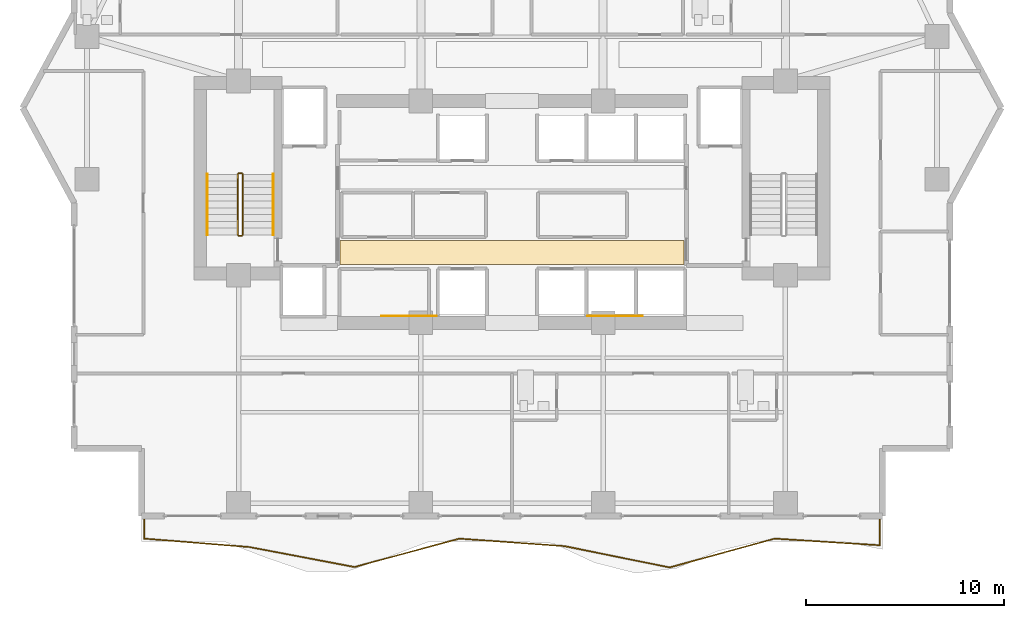
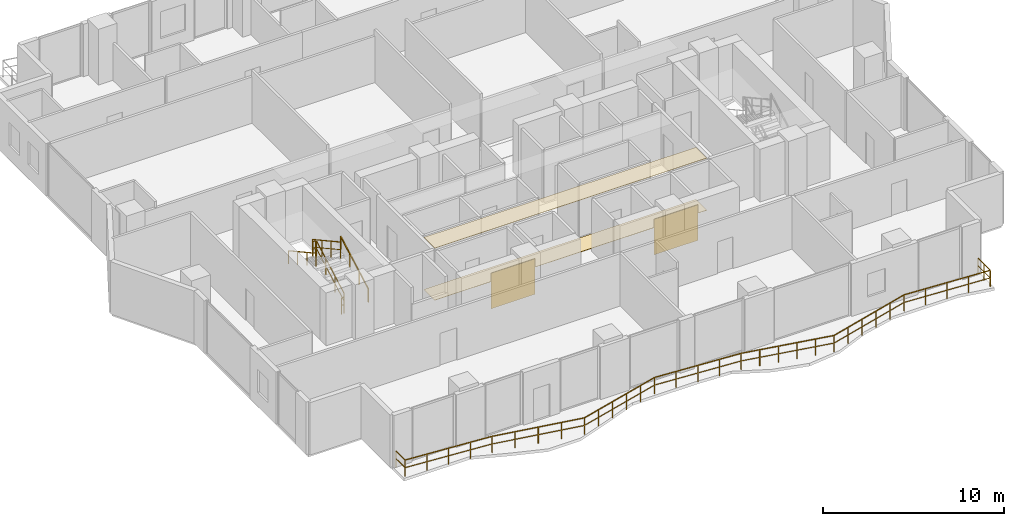
# One storey, part 29 of 32: 7 railings, 4 coverings.
"""IFC4 building model written with IfcOpenShell, lengths in metres."""

from ifc_helpers import new_model, si_unit, direction, frame, origin, origin_2d, place, context, subcontext, project, spatial, polyline, rectangle, outline, extrude, material, layer, layer_set, type_object, element, save


model = new_model("IFC4")

# Units and contexts
model_context = context("Model", 3, precision=1e-05, world=origin(), true_north=direction((0.0, 1.0)))
body_context = subcontext(model_context, "Body", "Model", "MODEL_VIEW")
ifc_project = project(units=[si_unit("LENGTHUNIT", "METRE"), si_unit("AREAUNIT", "SQUARE_METRE"), si_unit("VOLUMEUNIT", "CUBIC_METRE"), si_unit("PLANEANGLEUNIT", "RADIAN"), si_unit("MASSUNIT", "GRAM", prefix="KILO")], contexts=[model_context])

# Site, building, storey
site_placement = place(None, origin())
site = spatial("IfcSite", under=ifc_project, at=site_placement, CompositionType="ELEMENT")
building_placement = place(site_placement, origin())
building = spatial("IfcBuilding", under=site, at=building_placement, Name="Zuhayl Quay Hotel", CompositionType="ELEMENT")
storey_placement = place(building_placement, frame((0.0, 0.0, 218.64990234375)))
storey = spatial("IfcBuildingStorey", under=building, at=storey_placement, Name="L55", CompositionType="ELEMENT", Elevation=218.64990234375)

# Coverings
ifc_material_1 = material(Name="Acoustic Mineral-Fibre Gypsum Board")
ifc_layer_1 = layer(ifc_material_1, 0.02490234375, Name="Acoustic Mineral-Fibre Gypsum Board")
ifc_layer_set_1 = layer_set([ifc_layer_1], Name="Acoustic Mineral-Fibre Gypsum Board")
covering_type_1 = type_object("IfcCoveringType", Name="CV_CEIL_ACOUSTIC", PredefinedType="CEILING", material=ifc_layer_set_1)
covering_1_placement = place(storey_placement, frame((0.0, 0.0, 3.505126953125)))
element("IfcCovering", 1, at=covering_1_placement, inside=storey, type_object=covering_type_1, Name="L55 Suspended Acoustic Lobby Ceiling S", PredefinedType="CEILING", context=body_context, shape_type="SweptSolid", body=[
    extrude(outline(polyline([(-8.679931640625, 5.10009765625), (8.679931640625, 5.10009765625), (8.679931640625, 6.300048828125), (-8.679931640625, 6.300048828125), (-8.679931640625, 5.10009765625)])), origin(), (0.0, 0.0, 1.0), 0.02490234375),
])
ifc_material_2 = material(Name="Polished Limestone Terrazzo", Category="masonry")
ifc_layer_2 = layer(ifc_material_2, 0.02001953125, Name="Polished Limestone Terrazzo", Category="masonry")
ifc_layer_set_2 = layer_set([ifc_layer_2], Name="Polished Limestone Terrazzo")
covering_type_2 = type_object("IfcCoveringType", Name="CV_FLOOR_TERRAZZO", PredefinedType="FLOORING", material=ifc_layer_set_2)
covering_2_placement = place(storey_placement, origin())
element("IfcCovering", 2, at=covering_2_placement, inside=storey, type_object=covering_type_2, Name="L55 Honed Limestone Terrazzo Lobby Flooring S", PredefinedType="FLOORING", context=body_context, shape_type="SweptSolid", body=[
    extrude(outline(polyline([(-8.679931640625, 5.10009765625), (8.679931640625, 5.10009765625), (8.679931640625, 6.300048828125), (-8.679931640625, 6.300048828125), (-8.679931640625, 5.10009765625)])), origin(), (0.0, 0.0, 1.0), 0.02001953125),
])
ifc_material_3 = material(Name="Acoustic Walnut Feature Timber", Category="wood")
ifc_layer_3 = layer(ifc_material_3, 0.02197265625, Name="Acoustic Walnut Feature Timber", Category="wood")
ifc_layer_set_3 = layer_set([ifc_layer_3], Name="Acoustic Walnut Feature Timber")
covering_type_3 = type_object("IfcCoveringType", Name="CV_WALL_CLAD", PredefinedType="CLADDING", material=ifc_layer_set_3)
for number, where, z_axis, x_axis, name in (
    (3, (-5.199951171875, 2.486083984375, 0.300048828125), (0.0, 0.0, 1.0), (1.0, 0.0, 0.0), "L55 Feature Lobby Walnut Wall Cladding W"),
    (4, (5.199951171875, 2.486083984375, 0.300048828125), (0.0, 0.0, 1.0), (1.0, 0.0, 0.0), "L55 Feature Lobby Walnut Wall Cladding E"),
):
    element("IfcCovering", number, at=place(storey_placement, frame(where, z_axis=z_axis, x_axis=x_axis)), inside=storey, type_object=covering_type_3, Name=name, PredefinedType="CLADDING", context=body_context, shape_type="SweptSolid", body=[
        extrude(rectangle(XDim=2.800048828125, YDim=0.02197265625, at=origin_2d()), origin(), (0.0, 0.0, 1.0), 2.39990234375),
    ])

# Railings
ifc_material_4 = material(Name="Anodised Aluminium and Laminated Glass", Category="aluminium")
railing_type_1 = type_object("IfcRailingType", Name="RL_EXT_BAL_1100", PredefinedType="BALUSTRADE", material=ifc_material_4)
railing_1_placement = place(storey_placement, frame((-18.56005859375, -7.719970703125, 0.0)))
element("IfcRailing", 5, at=railing_1_placement, inside=storey, type_object=railing_type_1, Name="L55 Balcony and Terrace Guard GR_L55_BAL_S", PredefinedType="BALUSTRADE", context=body_context, shape_type="SweptSolid", body=[
    extrude(rectangle(XDim=0.048095703125, YDim=0.048095703125, at=origin_2d()), frame((0.0, 0.0, 1.09619140625), z_axis=(0.0, -1.0, 0.0), x_axis=(1.0, 0.0, 0.0)), (0.0, 0.0, 1.0), 1.02001953125),
    extrude(rectangle(XDim=0.0361328125, YDim=0.0361328125, at=origin_2d()), frame((0.0, 0.0, 0.58251953125), z_axis=(0.0, -1.0, 0.0), x_axis=(1.0, 0.0, 0.0)), (0.0, 0.0, 1.0), 1.02001953125),
    extrude(rectangle(XDim=0.048095703125, YDim=0.048095703125, at=origin_2d()), frame((0.0, -1.02001953125, 1.09619140625), z_axis=(0.996821404262, -0.079668613683, 0.0), x_axis=(0.079668613683, 0.996821404262, 0.0)), (0.0, 0.0, 1.0), 5.31982421875),
    extrude(rectangle(XDim=0.0361328125, YDim=0.0361328125, at=origin_2d()), frame((0.0, -1.02001953125, 0.58251953125), z_axis=(0.996821404262, -0.079668613683, 0.0), x_axis=(0.079668613683, 0.996821404262, 0.0)), (0.0, 0.0, 1.0), 5.31982421875),
    extrude(rectangle(XDim=0.048095703125, YDim=0.048095703125, at=origin_2d()), frame((5.302978515625, -1.44384765625, 1.09619140625), z_axis=(0.982381295866, -0.18688763879, 0.0), x_axis=(0.18688763879, 0.982381295866, 0.0)), (0.0, 0.0, 1.0), 5.39794921875),
    extrude(rectangle(XDim=0.0361328125, YDim=0.0361328125, at=origin_2d()), frame((5.302978515625, -1.44384765625, 0.58251953125), z_axis=(0.982381295866, -0.18688763879, 0.0), x_axis=(0.18688763879, 0.982381295866, 0.0)), (0.0, 0.0, 1.0), 5.39794921875),
    extrude(rectangle(XDim=0.048095703125, YDim=0.048095703125, at=origin_2d()), frame((10.605712890625, -2.45263671875, 1.09619140625), z_axis=(0.965391827311, 0.260803795528, 0.0), x_axis=(-0.260803795528, 0.965391827311, 0.0)), (0.0, 0.0, 1.0), 5.4931640625),
    extrude(rectangle(XDim=0.0361328125, YDim=0.0361328125, at=origin_2d()), frame((10.605712890625, -2.45263671875, 0.58251953125), z_axis=(0.965391827311, 0.260803795528, 0.0), x_axis=(-0.260803795528, 0.965391827311, 0.0)), (0.0, 0.0, 1.0), 5.4931640625),
    extrude(rectangle(XDim=0.048095703125, YDim=0.048095703125, at=origin_2d()), frame((15.90869140625, -1.02001953125, 1.09619140625), z_axis=(0.997456834578, -0.071273158714, 0.0), x_axis=(0.071273158714, 0.997456834578, 0.0)), (0.0, 0.0, 1.0), 5.316162109375),
    extrude(rectangle(XDim=0.0361328125, YDim=0.0361328125, at=origin_2d()), frame((15.90869140625, -1.02001953125, 0.58251953125), z_axis=(0.997456834578, -0.071273158714, 0.0), x_axis=(0.071273158714, 0.997456834578, 0.0)), (0.0, 0.0, 1.0), 5.316162109375),
    extrude(rectangle(XDim=0.048095703125, YDim=0.048095703125, at=origin_2d()), frame((21.21142578125, -1.39892578125, 1.09619140625), z_axis=(0.980005605908, -0.198969878093, 0.0), x_axis=(0.198969878093, 0.980005605908, 0.0)), (0.0, 0.0, 1.0), 5.4111328125),
    extrude(rectangle(XDim=0.0361328125, YDim=0.0361328125, at=origin_2d()), frame((21.21142578125, -1.39892578125, 0.58251953125), z_axis=(0.980005605908, -0.198969878093, 0.0), x_axis=(0.198969878093, 0.980005605908, 0.0)), (0.0, 0.0, 1.0), 5.4111328125),
    extrude(rectangle(XDim=0.048095703125, YDim=0.048095703125, at=origin_2d()), frame((26.514404296875, -2.4755859375, 1.09619140625), z_axis=(0.964330147936, 0.264702409852, 0.0), x_axis=(-0.264702409852, 0.964330147936, 0.0)), (0.0, 0.0, 1.0), 5.498779296875),
    extrude(rectangle(XDim=0.0361328125, YDim=0.0361328125, at=origin_2d()), frame((26.514404296875, -2.4755859375, 0.58251953125), z_axis=(0.964330147936, 0.264702409852, 0.0), x_axis=(-0.264702409852, 0.964330147936, 0.0)), (0.0, 0.0, 1.0), 5.498779296875),
    extrude(rectangle(XDim=0.048095703125, YDim=0.048095703125, at=origin_2d()), frame((31.817138671875, -1.02001953125, 1.09619140625), z_axis=(0.998022607312, -0.062855988527, 0.0), x_axis=(0.062855988527, 0.998022607312, 0.0)), (0.0, 0.0, 1.0), 5.3134765625),
    extrude(rectangle(XDim=0.0361328125, YDim=0.0361328125, at=origin_2d()), frame((31.817138671875, -1.02001953125, 0.58251953125), z_axis=(0.998022607312, -0.062855988527, 0.0), x_axis=(0.062855988527, 0.998022607312, 0.0)), (0.0, 0.0, 1.0), 5.3134765625),
    extrude(rectangle(XDim=0.048095703125, YDim=0.048095703125, at=origin_2d()), frame((37.1201171875, -1.35400390625, 1.09619140625), z_axis=(0.0, 1.0, 0.0), x_axis=(-1.0, 0.0, 0.0)), (0.0, 0.0, 1.0), 1.35400390625),
    extrude(rectangle(XDim=0.0361328125, YDim=0.0361328125, at=origin_2d()), frame((37.1201171875, -1.35400390625, 0.58251953125), z_axis=(0.0, 1.0, 0.0), x_axis=(-1.0, 0.0, 0.0)), (0.0, 0.0, 1.0), 1.35400390625),
    extrude(rectangle(XDim=0.0419921875, YDim=0.0419921875, at=origin_2d()), origin(), (0.0, 0.0, 1.0), 1.072021484375),
    extrude(rectangle(XDim=0.0419921875, YDim=0.0419921875, at=origin_2d()), frame((0.0, -1.02001953125, 0.0)), (0.0, 0.0, 1.0), 1.072021484375),
    extrude(rectangle(XDim=0.0419921875, YDim=0.0419921875, at=origin_2d()), frame((1.32568359375, -1.1259765625, 0.0)), (0.0, 0.0, 1.0), 1.072021484375),
    extrude(rectangle(XDim=0.0419921875, YDim=0.0419921875, at=origin_2d()), frame((2.6513671875, -1.23193359375, 0.0)), (0.0, 0.0, 1.0), 1.072021484375),
    extrude(rectangle(XDim=0.0419921875, YDim=0.0419921875, at=origin_2d()), frame((3.977294921875, -1.337890625, 0.0)), (0.0, 0.0, 1.0), 1.072021484375),
    extrude(rectangle(XDim=0.0419921875, YDim=0.0419921875, at=origin_2d()), frame((5.302978515625, -1.44384765625, 0.0)), (0.0, 0.0, 1.0), 1.072021484375),
    extrude(rectangle(XDim=0.0419921875, YDim=0.0419921875, at=origin_2d()), frame((6.628662109375, -1.696044921875, 0.0)), (0.0, 0.0, 1.0), 1.072021484375),
    extrude(rectangle(XDim=0.0419921875, YDim=0.0419921875, at=origin_2d()), frame((7.954345703125, -1.9482421875, 0.0)), (0.0, 0.0, 1.0), 1.072021484375),
    extrude(rectangle(XDim=0.0419921875, YDim=0.0419921875, at=origin_2d()), frame((9.280029296875, -2.200439453125, 0.0)), (0.0, 0.0, 1.0), 1.072021484375),
    extrude(rectangle(XDim=0.0419921875, YDim=0.0419921875, at=origin_2d()), frame((10.605712890625, -2.45263671875, 0.0)), (0.0, 0.0, 1.0), 1.072021484375),
    extrude(rectangle(XDim=0.0419921875, YDim=0.0419921875, at=origin_2d()), frame((11.666259765625, -2.166015625, 0.0)), (0.0, 0.0, 1.0), 1.072021484375),
    extrude(rectangle(XDim=0.0419921875, YDim=0.0419921875, at=origin_2d()), frame((12.726806640625, -1.879638671875, 0.0)), (0.0, 0.0, 1.0), 1.072021484375),
    extrude(rectangle(XDim=0.0419921875, YDim=0.0419921875, at=origin_2d()), frame((13.78759765625, -1.593017578125, 0.0)), (0.0, 0.0, 1.0), 1.072021484375),
    extrude(rectangle(XDim=0.0419921875, YDim=0.0419921875, at=origin_2d()), frame((14.84814453125, -1.306640625, 0.0)), (0.0, 0.0, 1.0), 1.072021484375),
    extrude(rectangle(XDim=0.0419921875, YDim=0.0419921875, at=origin_2d()), frame((15.90869140625, -1.02001953125, 0.0)), (0.0, 0.0, 1.0), 1.072021484375),
    extrude(rectangle(XDim=0.0419921875, YDim=0.0419921875, at=origin_2d()), frame((17.234375, -1.11474609375, 0.0)), (0.0, 0.0, 1.0), 1.072021484375),
    extrude(rectangle(XDim=0.0419921875, YDim=0.0419921875, at=origin_2d()), frame((18.56005859375, -1.20947265625, 0.0)), (0.0, 0.0, 1.0), 1.072021484375),
    extrude(rectangle(XDim=0.0419921875, YDim=0.0419921875, at=origin_2d()), frame((19.8857421875, -1.30419921875, 0.0)), (0.0, 0.0, 1.0), 1.072021484375),
    extrude(rectangle(XDim=0.0419921875, YDim=0.0419921875, at=origin_2d()), frame((21.21142578125, -1.39892578125, 0.0)), (0.0, 0.0, 1.0), 1.072021484375),
    extrude(rectangle(XDim=0.0419921875, YDim=0.0419921875, at=origin_2d()), frame((22.27197265625, -1.6142578125, 0.0)), (0.0, 0.0, 1.0), 1.072021484375),
    extrude(rectangle(XDim=0.0419921875, YDim=0.0419921875, at=origin_2d()), frame((23.33251953125, -1.82958984375, 0.0)), (0.0, 0.0, 1.0), 1.072021484375),
    extrude(rectangle(XDim=0.0419921875, YDim=0.0419921875, at=origin_2d()), frame((24.393310546875, -2.044921875, 0.0)), (0.0, 0.0, 1.0), 1.072021484375),
    extrude(rectangle(XDim=0.0419921875, YDim=0.0419921875, at=origin_2d()), frame((25.453857421875, -2.26025390625, 0.0)), (0.0, 0.0, 1.0), 1.072021484375),
    extrude(rectangle(XDim=0.0419921875, YDim=0.0419921875, at=origin_2d()), frame((26.514404296875, -2.4755859375, 0.0)), (0.0, 0.0, 1.0), 1.072021484375),
    extrude(rectangle(XDim=0.0419921875, YDim=0.0419921875, at=origin_2d()), frame((27.574951171875, -2.1845703125, 0.0)), (0.0, 0.0, 1.0), 1.072021484375),
    extrude(rectangle(XDim=0.0419921875, YDim=0.0419921875, at=origin_2d()), frame((28.635498046875, -1.893310546875, 0.0)), (0.0, 0.0, 1.0), 1.072021484375),
    extrude(rectangle(XDim=0.0419921875, YDim=0.0419921875, at=origin_2d()), frame((29.696044921875, -1.602294921875, 0.0)), (0.0, 0.0, 1.0), 1.072021484375),
    extrude(rectangle(XDim=0.0419921875, YDim=0.0419921875, at=origin_2d()), frame((30.756591796875, -1.31103515625, 0.0)), (0.0, 0.0, 1.0), 1.072021484375),
    extrude(rectangle(XDim=0.0419921875, YDim=0.0419921875, at=origin_2d()), frame((31.817138671875, -1.02001953125, 0.0)), (0.0, 0.0, 1.0), 1.072021484375),
    extrude(rectangle(XDim=0.0419921875, YDim=0.0419921875, at=origin_2d()), frame((33.142822265625, -1.103515625, 0.0)), (0.0, 0.0, 1.0), 1.072021484375),
    extrude(rectangle(XDim=0.0419921875, YDim=0.0419921875, at=origin_2d()), frame((34.46875, -1.18701171875, 0.0)), (0.0, 0.0, 1.0), 1.072021484375),
    extrude(rectangle(XDim=0.0419921875, YDim=0.0419921875, at=origin_2d()), frame((35.79443359375, -1.2705078125, 0.0)), (0.0, 0.0, 1.0), 1.072021484375),
    extrude(rectangle(XDim=0.0419921875, YDim=0.0419921875, at=origin_2d()), frame((37.1201171875, -1.35400390625, 0.0)), (0.0, 0.0, 1.0), 1.072021484375),
    extrude(rectangle(XDim=0.0419921875, YDim=0.0419921875, at=origin_2d()), frame((37.1201171875, -0.677001953125, 0.0)), (0.0, 0.0, 1.0), 1.072021484375),
    extrude(rectangle(XDim=0.0419921875, YDim=0.0419921875, at=origin_2d()), frame((37.1201171875, 0.0, 0.0)), (0.0, 0.0, 1.0), 1.072021484375),
])
ifc_material_5 = material(Name="Steel ASTM A992 Grade 50", Category="steel")
railing_type_2 = type_object("IfcRailingType", Name="RL_GUARD_1100", PredefinedType="GUARDRAIL", material=ifc_material_5)
railing_2_placement = place(storey_placement, frame((-13.590087890625, 6.590087890625, 0.1875)))
element("IfcRailing", 6, at=railing_2_placement, inside=storey, type_object=railing_type_2, Name="L55 ST1 stair guard 1", PredefinedType="GUARDRAIL", context=body_context, shape_type="SweptSolid", body=[
    extrude(rectangle(XDim=0.048095703125, YDim=0.048095703125, at=origin_2d()), frame((0.0, 0.0, 1.09619140625), z_axis=(0.0, 0.875659195171, 0.482929574485), x_axis=(-1.0, 0.0, 0.0)), (0.0, 0.0, 1.0), 3.494384765625),
    extrude(rectangle(XDim=0.0361328125, YDim=0.0361328125, at=origin_2d()), frame((0.0, 0.0, 0.58251953125), z_axis=(0.0, 0.875659195171, 0.482929574485), x_axis=(-1.0, 0.0, 0.0)), (0.0, 0.0, 1.0), 3.494384765625),
    extrude(rectangle(XDim=0.0419921875, YDim=0.0419921875, at=origin_2d()), origin(), (0.0, 0.0, 1.0), 1.072021484375),
    extrude(rectangle(XDim=0.0419921875, YDim=0.0419921875, at=origin_2d()), frame((0.0, 1.02001953125, 0.5625)), (0.0, 0.0, 1.0), 1.072021484375),
    extrude(rectangle(XDim=0.0419921875, YDim=0.0419921875, at=origin_2d()), frame((0.0, 2.039794921875, 1.125)), (0.0, 0.0, 1.0), 1.072021484375),
    extrude(rectangle(XDim=0.0419921875, YDim=0.0419921875, at=origin_2d()), frame((0.0, 3.059814453125, 1.6875)), (0.0, 0.0, 1.0), 1.072021484375),
])
railing_3_placement = place(storey_placement, frame((-13.639892578125, 9.699951171875, 1.875)))
element("IfcRailing", 7, at=railing_3_placement, inside=storey, type_object=railing_type_2, Name="L55 ST1 stair guard 2", PredefinedType="GUARDRAIL", context=body_context, shape_type="SweptSolid", body=[
    extrude(rectangle(XDim=0.048095703125, YDim=0.048095703125, at=origin_2d()), frame((0.0, 0.0, 1.09619140625), z_axis=(-1.0, 0.0, 0.0), x_axis=(0.0, -1.0, 0.0)), (0.0, 0.0, 1.0), 0.150146484375),
    extrude(rectangle(XDim=0.0361328125, YDim=0.0361328125, at=origin_2d()), frame((0.0, 0.0, 0.58251953125), z_axis=(-1.0, 0.0, 0.0), x_axis=(0.0, -1.0, 0.0)), (0.0, 0.0, 1.0), 0.150146484375),
    extrude(rectangle(XDim=0.0419921875, YDim=0.0419921875, at=origin_2d()), origin(), (0.0, 0.0, 1.0), 1.072021484375),
    extrude(rectangle(XDim=0.0419921875, YDim=0.0419921875, at=origin_2d()), frame((-0.150146484375, 0.0, 0.0)), (0.0, 0.0, 1.0), 1.072021484375),
])
railing_4_placement = place(storey_placement, frame((-13.840087890625, 9.64990234375, 2.0625)))
element("IfcRailing", 8, at=railing_4_placement, inside=storey, type_object=railing_type_2, Name="L55 ST1 stair guard 3", PredefinedType="GUARDRAIL", context=body_context, shape_type="SweptSolid", body=[
    extrude(rectangle(XDim=0.048095703125, YDim=0.048095703125, at=origin_2d()), frame((0.0, 0.0, 1.09619140625), z_axis=(0.0, -0.875659195171, 0.482929574485), x_axis=(1.0, 0.0, 0.0)), (0.0, 0.0, 1.0), 3.494384765625),
    extrude(rectangle(XDim=0.0361328125, YDim=0.0361328125, at=origin_2d()), frame((0.0, 0.0, 0.58251953125), z_axis=(0.0, -0.875659195171, 0.482929574485), x_axis=(1.0, 0.0, 0.0)), (0.0, 0.0, 1.0), 3.494384765625),
    extrude(rectangle(XDim=0.0419921875, YDim=0.0419921875, at=origin_2d()), origin(), (0.0, 0.0, 1.0), 1.072021484375),
    extrude(rectangle(XDim=0.0419921875, YDim=0.0419921875, at=origin_2d()), frame((0.0, -1.02001953125, 0.5625)), (0.0, 0.0, 1.0), 1.072021484375),
    extrude(rectangle(XDim=0.0419921875, YDim=0.0419921875, at=origin_2d()), frame((0.0, -2.039794921875, 1.125)), (0.0, 0.0, 1.0), 1.072021484375),
    extrude(rectangle(XDim=0.0419921875, YDim=0.0419921875, at=origin_2d()), frame((0.0, -3.059814453125, 1.6875)), (0.0, 0.0, 1.0), 1.072021484375),
])
railing_5_placement = place(storey_placement, frame((-13.639892578125, 6.5400390625, 0.0)))
element("IfcRailing", 9, at=railing_5_placement, inside=storey, type_object=railing_type_2, Name="L55 ST1 stair guard 4", PredefinedType="GUARDRAIL", context=body_context, shape_type="SweptSolid", body=[
    extrude(rectangle(XDim=0.048095703125, YDim=0.048095703125, at=origin_2d()), frame((0.0, 0.0, 1.09619140625), z_axis=(-1.0, 0.0, 0.0), x_axis=(0.0, -1.0, 0.0)), (0.0, 0.0, 1.0), 0.150146484375),
    extrude(rectangle(XDim=0.0361328125, YDim=0.0361328125, at=origin_2d()), frame((0.0, 0.0, 0.58251953125), z_axis=(-1.0, 0.0, 0.0), x_axis=(0.0, -1.0, 0.0)), (0.0, 0.0, 1.0), 0.150146484375),
    extrude(rectangle(XDim=0.0419921875, YDim=0.0419921875, at=origin_2d()), origin(), (0.0, 0.0, 1.0), 1.072021484375),
    extrude(rectangle(XDim=0.0419921875, YDim=0.0419921875, at=origin_2d()), frame((-0.150146484375, 0.0, 0.0)), (0.0, 0.0, 1.0), 1.072021484375),
])
railing_type_3 = type_object("IfcRailingType", Name="RL_HANDRAIL_920", PredefinedType="HANDRAIL", material=ifc_material_5)
railing_6_placement = place(storey_placement, frame((-12.050048828125, 6.590087890625, 0.1875)))
element("IfcRailing", 10, at=railing_6_placement, inside=storey, type_object=railing_type_3, Name="L55 ST1 stair handrail 1", PredefinedType="HANDRAIL", context=body_context, shape_type="SweptSolid", body=[
    extrude(rectangle(XDim=0.048095703125, YDim=0.048095703125, at=origin_2d()), frame((0.0, 0.0, 0.8759765625), z_axis=(0.0, 0.875659195171, 0.482929574485), x_axis=(-1.0, 0.0, 0.0)), (0.0, 0.0, 1.0), 3.494384765625),
    extrude(rectangle(XDim=0.0419921875, YDim=0.0419921875, at=origin_2d()), origin(), (0.0, 0.0, 1.0), 0.851806640625),
    extrude(rectangle(XDim=0.0419921875, YDim=0.0419921875, at=origin_2d()), frame((0.0, 1.02001953125, 0.5625)), (0.0, 0.0, 1.0), 0.851806640625),
    extrude(rectangle(XDim=0.0419921875, YDim=0.0419921875, at=origin_2d()), frame((0.0, 2.039794921875, 1.125)), (0.0, 0.0, 1.0), 0.851806640625),
    extrude(rectangle(XDim=0.0419921875, YDim=0.0419921875, at=origin_2d()), frame((0.0, 3.059814453125, 1.6875)), (0.0, 0.0, 1.0), 0.851806640625),
])
railing_7_placement = place(storey_placement, frame((-15.3798828125, 9.64990234375, 2.0625)))
element("IfcRailing", 11, at=railing_7_placement, inside=storey, type_object=railing_type_3, Name="L55 ST1 stair handrail 2", PredefinedType="HANDRAIL", context=body_context, shape_type="SweptSolid", body=[
    extrude(rectangle(XDim=0.048095703125, YDim=0.048095703125, at=origin_2d()), frame((0.0, 0.0, 0.8759765625), z_axis=(0.0, -0.875659195171, 0.482929574485), x_axis=(1.0, 0.0, 0.0)), (0.0, 0.0, 1.0), 3.494384765625),
    extrude(rectangle(XDim=0.0419921875, YDim=0.0419921875, at=origin_2d()), origin(), (0.0, 0.0, 1.0), 0.851806640625),
    extrude(rectangle(XDim=0.0419921875, YDim=0.0419921875, at=origin_2d()), frame((0.0, -1.02001953125, 0.5625)), (0.0, 0.0, 1.0), 0.851806640625),
    extrude(rectangle(XDim=0.0419921875, YDim=0.0419921875, at=origin_2d()), frame((0.0, -2.039794921875, 1.125)), (0.0, 0.0, 1.0), 0.851806640625),
    extrude(rectangle(XDim=0.0419921875, YDim=0.0419921875, at=origin_2d()), frame((0.0, -3.059814453125, 1.6875)), (0.0, 0.0, 1.0), 0.851806640625),
])

save(model, "model.ifc")
